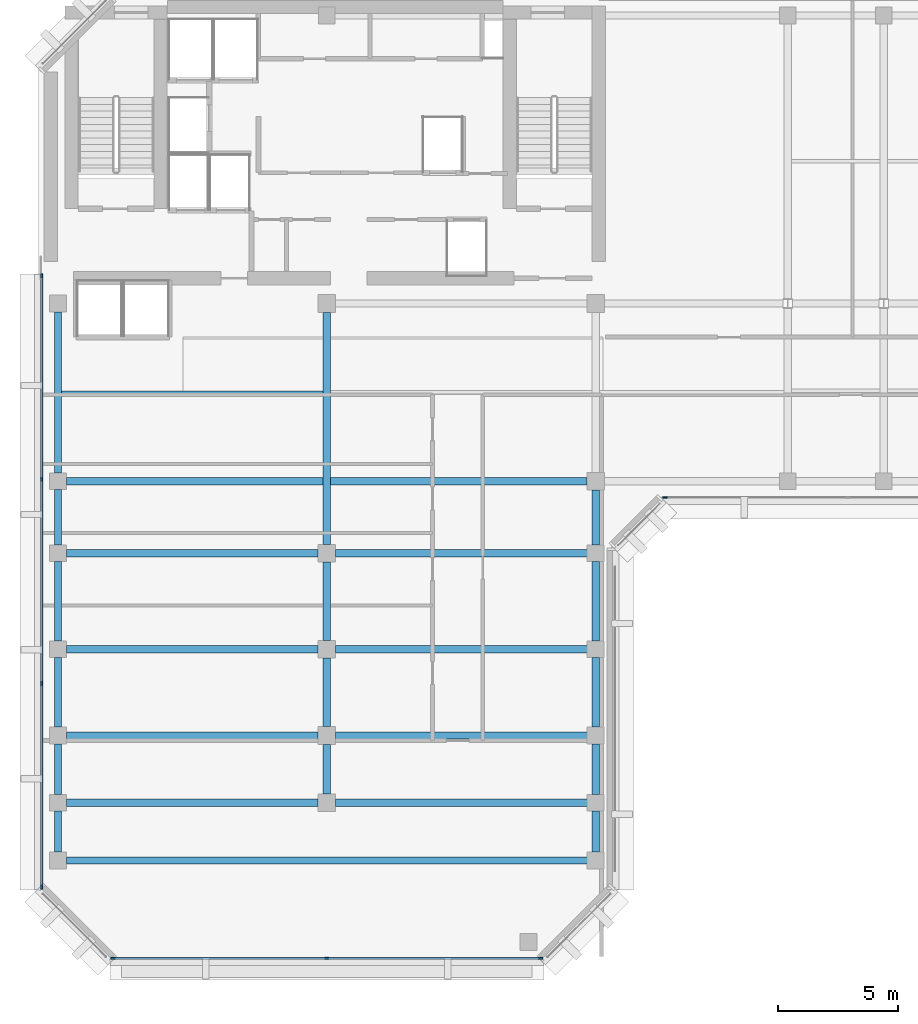
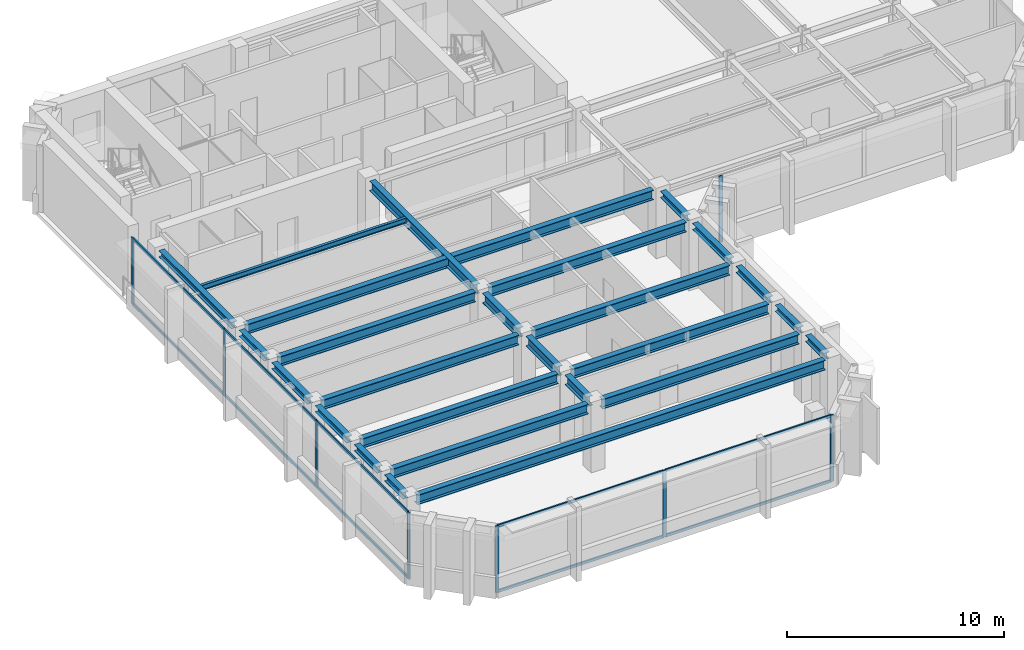
# One storey, part 2 of 11: 26 beams, 18 members, 3 elements without a shape of their own.
"""IFC4 building model written with IfcOpenShell, lengths in metres."""

from ifc_helpers import new_model, si_unit, direction, frame, origin, origin_2d, place, context, subcontext, project, spatial, rectangle, i_section, extrude, material, layer, layer_set, material_profile, profile_set, type_object, element, aggregate, save


model = new_model("IFC4")

# Units and contexts
model_context = context("Model", 3, precision=1e-05, world=origin(), true_north=direction((0.0, 1.0)))
body_context = subcontext(model_context, "Body", "Model", "MODEL_VIEW")
ifc_project = project(units=[si_unit("LENGTHUNIT", "METRE"), si_unit("AREAUNIT", "SQUARE_METRE"), si_unit("VOLUMEUNIT", "CUBIC_METRE"), si_unit("PLANEANGLEUNIT", "RADIAN"), si_unit("MASSUNIT", "GRAM", prefix="KILO")], contexts=[model_context])

# Site, building, storey
site_placement = place(None, origin())
site = spatial("IfcSite", under=ifc_project, at=site_placement, CompositionType="ELEMENT")
building_placement = place(site_placement, origin())
building = spatial("IfcBuilding", under=site, at=building_placement, Name="Kefirva Bronze Tower", CompositionType="ELEMENT")
storey_placement = place(building_placement, frame((0.0, 0.0, 276.2099609375)))
storey = spatial("IfcBuildingStorey", under=building, at=storey_placement, Name="L67", CompositionType="ELEMENT", Elevation=276.2099609375)

# Curtain wall, members
ifc_material_1 = material(Name="Bronze anodised aluminium", Category="aluminium")
ifc_layer = layer(ifc_material_1, 0.179931640625, Name="Bronze anodised aluminium")
ifc_layer_set = layer_set([ifc_layer], Name="Bronze anodised aluminium")
curtain_wall_type = type_object("IfcCurtainWallType", Name="Unitised Bronze Ribbon Curtain Wall Zone 4", PredefinedType="USERDEFINED", material=ifc_layer_set)
curtain_wall_1_placement = place(storey_placement, origin())
curtain_wall_1 = element("IfcCurtainWall", 1, at=curtain_wall_1_placement, inside=storey, type_object=curtain_wall_type, Name="L67 Curtain Wall 1", ObjectType="UNITISED CURTAIN WALL", PredefinedType="USERDEFINED")
ifc_material_profile_1 = material_profile(ifc_material_1, rectangle(XDim=0.074951171875, YDim=0.179931640625, at=origin_2d()), Name="ALU 75x180")
ifc_profile_set_1 = profile_set([ifc_material_profile_1], Name="Bronze anodised aluminium")
member_type_1 = type_object("IfcMemberType", Name="Bronze Mullion 75x180", PredefinedType="MULLION", material=ifc_profile_set_1)
member_1_placement = place(storey_placement, frame((3.092529296875, 5.919921875, 0.0), z_axis=(0.0, 0.0, 1.0), x_axis=(0.0, 1.0, 0.0)))
member_1 = element("IfcMember", 2, at=member_1_placement, type_object=member_type_1, Name="CW-04 mullion 1", PredefinedType="MULLION", context=body_context, shape_type="SweptSolid", body=[
    extrude(rectangle(XDim=0.074951171875, YDim=0.179931640625, at=origin_2d()), origin(), (0.0, 0.0, 1.0), 3.739990234375),
])
member_2_placement = place(storey_placement, frame((12.0, 5.919921875, 0.0), z_axis=(0.0, 0.0, 1.0), x_axis=(0.0, 1.0, 0.0)))
member_2 = element("IfcMember", 3, at=member_2_placement, type_object=member_type_1, Name="CW-04 mullion 2", PredefinedType="MULLION", context=body_context, shape_type="SweptSolid", body=[
    extrude(rectangle(XDim=0.074951171875, YDim=0.179931640625, at=origin_2d()), origin(), (0.0, 0.0, 1.0), 3.739990234375),
])
member_3_placement = place(storey_placement, frame((20.907470703125, 5.919921875, 0.0), z_axis=(0.0, 0.0, 1.0), x_axis=(0.0, 1.0, 0.0)))
member_3 = element("IfcMember", 4, at=member_3_placement, type_object=member_type_1, Name="CW-04 mullion 3", PredefinedType="MULLION", context=body_context, shape_type="SweptSolid", body=[
    extrude(rectangle(XDim=0.074951171875, YDim=0.179931640625, at=origin_2d()), origin(), (0.0, 0.0, 1.0), 3.739990234375),
])

# Curtain wall, member
curtain_wall_2_placement = place(storey_placement, origin())
curtain_wall_2 = element("IfcCurtainWall", 5, at=curtain_wall_2_placement, inside=storey, type_object=curtain_wall_type, Name="L67 Curtain Wall 2", ObjectType="UNITISED CURTAIN WALL", PredefinedType="USERDEFINED")
member_4_placement = place(storey_placement, frame((26.092529296875, 25.1201171875, 0.0), z_axis=(0.0, 0.0, 1.0), x_axis=(0.0, 1.0, 0.0)))
member_4 = element("IfcMember", 6, at=member_4_placement, type_object=member_type_1, Name="CW-04 mullion 1", PredefinedType="MULLION", context=body_context, shape_type="SweptSolid", body=[
    extrude(rectangle(XDim=0.074951171875, YDim=0.179931640625, at=origin_2d()), origin(), (0.0, 0.0, 1.0), 3.739990234375),
])
aggregate(curtain_wall_2, [member_4])

# Curtain wall, members
curtain_wall_3_placement = place(storey_placement, origin())
curtain_wall_3 = element("IfcCurtainWall", 7, at=curtain_wall_3_placement, inside=storey, type_object=curtain_wall_type, Name="L67 Curtain Wall 5", ObjectType="UNITISED CURTAIN WALL", PredefinedType="USERDEFINED")
member_5_placement = place(storey_placement, frame((0.1201171875, 34.357421875, 0.0), z_axis=(0.0, 0.0, 1.0), x_axis=(1.0, 0.0, 0.0)))
member_5 = element("IfcMember", 8, at=member_5_placement, type_object=member_type_1, Name="CW-04 mullion 1", PredefinedType="MULLION", context=body_context, shape_type="SweptSolid", body=[
    extrude(rectangle(XDim=0.074951171875, YDim=0.179931640625, at=origin_2d()), origin(), (0.0, 0.0, 1.0), 3.739990234375),
])
member_6_placement = place(storey_placement, frame((0.1201171875, 25.881591796875, 0.0), z_axis=(0.0, 0.0, 1.0), x_axis=(1.0, 0.0, 0.0)))
member_6 = element("IfcMember", 9, at=member_6_placement, type_object=member_type_1, Name="CW-04 mullion 2", PredefinedType="MULLION", context=body_context, shape_type="SweptSolid", body=[
    extrude(rectangle(XDim=0.074951171875, YDim=0.179931640625, at=origin_2d()), origin(), (0.0, 0.0, 1.0), 3.739990234375),
])
member_7_placement = place(storey_placement, frame((0.1201171875, 17.368408203125, 0.0), z_axis=(0.0, 0.0, 1.0), x_axis=(1.0, 0.0, 0.0)))
member_7 = element("IfcMember", 10, at=member_7_placement, type_object=member_type_1, Name="CW-04 mullion 3", PredefinedType="MULLION", context=body_context, shape_type="SweptSolid", body=[
    extrude(rectangle(XDim=0.074951171875, YDim=0.179931640625, at=origin_2d()), origin(), (0.0, 0.0, 1.0), 3.739990234375),
])
member_8_placement = place(storey_placement, frame((0.1201171875, 8.892578125, 0.0), z_axis=(0.0, 0.0, 1.0), x_axis=(1.0, 0.0, 0.0)))
member_8 = element("IfcMember", 11, at=member_8_placement, type_object=member_type_1, Name="CW-04 mullion 4", PredefinedType="MULLION", context=body_context, shape_type="SweptSolid", body=[
    extrude(rectangle(XDim=0.074951171875, YDim=0.179931640625, at=origin_2d()), origin(), (0.0, 0.0, 1.0), 3.739990234375),
])

# Member
ifc_material_profile_2 = material_profile(ifc_material_1, rectangle(XDim=0.074951171875, YDim=0.14990234375, at=origin_2d()), Name="ALU 75x150")
ifc_profile_set_2 = profile_set([ifc_material_profile_2], Name="Bronze anodised aluminium")
member_type_2 = type_object("IfcMemberType", Name="Bronze Transom 75x150", PredefinedType="USERDEFINED", material=ifc_profile_set_2)
member_9_placement = place(storey_placement, frame((3.1298828125, 5.919921875, 0.03759765625), z_axis=(1.0, 0.0, 0.0), x_axis=(0.0, 1.0, 0.0)))
member_9 = element("IfcMember", 12, at=member_9_placement, type_object=member_type_2, Name="CW-04 transom 1.1", ObjectType="TRANSOM", PredefinedType="USERDEFINED", context=body_context, shape_type="SweptSolid", body=[
    extrude(rectangle(XDim=0.074951171875, YDim=0.14990234375, at=origin_2d()), origin(), (0.0, 0.0, 1.0), 8.83251953125),
])

member_10_placement = place(storey_placement, frame((3.1298828125, 5.919921875, 3.70263671875), z_axis=(1.0, 0.0, 0.0), x_axis=(0.0, 1.0, 0.0)))
member_10 = element("IfcMember", 13, at=member_10_placement, type_object=member_type_2, Name="CW-04 transom 1.2", ObjectType="TRANSOM", PredefinedType="USERDEFINED", context=body_context, shape_type="SweptSolid", body=[
    extrude(rectangle(XDim=0.074951171875, YDim=0.14990234375, at=origin_2d()), origin(), (0.0, 0.0, 1.0), 8.83251953125),
])

member_11_placement = place(storey_placement, frame((12.03759765625, 5.919921875, 0.03759765625), z_axis=(1.0, 0.0, 0.0), x_axis=(0.0, 1.0, 0.0)))
member_11 = element("IfcMember", 14, at=member_11_placement, type_object=member_type_2, Name="CW-04 transom 2.1", ObjectType="TRANSOM", PredefinedType="USERDEFINED", context=body_context, shape_type="SweptSolid", body=[
    extrude(rectangle(XDim=0.074951171875, YDim=0.14990234375, at=origin_2d()), origin(), (0.0, 0.0, 1.0), 8.83251953125),
])

member_12_placement = place(storey_placement, frame((12.03759765625, 5.919921875, 3.70263671875), z_axis=(1.0, 0.0, 0.0), x_axis=(0.0, 1.0, 0.0)))
member_12 = element("IfcMember", 15, at=member_12_placement, type_object=member_type_2, Name="CW-04 transom 2.2", ObjectType="TRANSOM", PredefinedType="USERDEFINED", context=body_context, shape_type="SweptSolid", body=[
    extrude(rectangle(XDim=0.074951171875, YDim=0.14990234375, at=origin_2d()), origin(), (0.0, 0.0, 1.0), 8.83251953125),
])

aggregate(curtain_wall_1, [member_1, member_2, member_3, member_9, member_10, member_11, member_12])

member_13_placement = place(storey_placement, frame((0.1201171875, 34.320068359375, 0.03759765625), z_axis=(0.0, -1.0, 0.0), x_axis=(1.0, 0.0, 0.0)))
member_13 = element("IfcMember", 16, at=member_13_placement, type_object=member_type_2, Name="CW-04 transom 1.1", ObjectType="TRANSOM", PredefinedType="USERDEFINED", context=body_context, shape_type="SweptSolid", body=[
    extrude(rectangle(XDim=0.074951171875, YDim=0.14990234375, at=origin_2d()), origin(), (0.0, 0.0, 1.0), 8.40087890625),
])

member_14_placement = place(storey_placement, frame((0.1201171875, 34.320068359375, 3.70263671875), z_axis=(0.0, -1.0, 0.0), x_axis=(1.0, 0.0, 0.0)))
member_14 = element("IfcMember", 17, at=member_14_placement, type_object=member_type_2, Name="CW-04 transom 1.2", ObjectType="TRANSOM", PredefinedType="USERDEFINED", context=body_context, shape_type="SweptSolid", body=[
    extrude(rectangle(XDim=0.074951171875, YDim=0.14990234375, at=origin_2d()), origin(), (0.0, 0.0, 1.0), 8.40087890625),
])

member_15_placement = place(storey_placement, frame((0.1201171875, 25.84423828125, 0.03759765625), z_axis=(0.0, -1.0, 0.0), x_axis=(1.0, 0.0, 0.0)))
member_15 = element("IfcMember", 18, at=member_15_placement, type_object=member_type_2, Name="CW-04 transom 2.1", ObjectType="TRANSOM", PredefinedType="USERDEFINED", context=body_context, shape_type="SweptSolid", body=[
    extrude(rectangle(XDim=0.074951171875, YDim=0.14990234375, at=origin_2d()), origin(), (0.0, 0.0, 1.0), 8.4384765625),
])

member_16_placement = place(storey_placement, frame((0.1201171875, 25.84423828125, 3.70263671875), z_axis=(0.0, -1.0, 0.0), x_axis=(1.0, 0.0, 0.0)))
member_16 = element("IfcMember", 19, at=member_16_placement, type_object=member_type_2, Name="CW-04 transom 2.2", ObjectType="TRANSOM", PredefinedType="USERDEFINED", context=body_context, shape_type="SweptSolid", body=[
    extrude(rectangle(XDim=0.074951171875, YDim=0.14990234375, at=origin_2d()), origin(), (0.0, 0.0, 1.0), 8.4384765625),
])

member_17_placement = place(storey_placement, frame((0.1201171875, 17.330810546875, 0.03759765625), z_axis=(0.0, -1.0, 0.0), x_axis=(1.0, 0.0, 0.0)))
member_17 = element("IfcMember", 20, at=member_17_placement, type_object=member_type_2, Name="CW-04 transom 3.1", ObjectType="TRANSOM", PredefinedType="USERDEFINED", context=body_context, shape_type="SweptSolid", body=[
    extrude(rectangle(XDim=0.074951171875, YDim=0.14990234375, at=origin_2d()), origin(), (0.0, 0.0, 1.0), 8.40087890625),
])

member_18_placement = place(storey_placement, frame((0.1201171875, 17.330810546875, 3.70263671875), z_axis=(0.0, -1.0, 0.0), x_axis=(1.0, 0.0, 0.0)))
member_18 = element("IfcMember", 21, at=member_18_placement, type_object=member_type_2, Name="CW-04 transom 3.2", ObjectType="TRANSOM", PredefinedType="USERDEFINED", context=body_context, shape_type="SweptSolid", body=[
    extrude(rectangle(XDim=0.074951171875, YDim=0.14990234375, at=origin_2d()), origin(), (0.0, 0.0, 1.0), 8.40087890625),
])

aggregate(curtain_wall_3, [member_5, member_6, member_7, member_8, member_13, member_14, member_15, member_16, member_17, member_18])

# Beams
ifc_material_2 = material(Name="Steel S355", Category="steel")
ifc_material_profile_3 = material_profile(ifc_material_2, i_section(OverallWidth=0.14990234375, OverallDepth=0.300048828125, WebThickness=0.007080078125, FlangeThickness=0.0107421875, at=origin_2d()), Name="IPE 300")
ifc_profile_set_3 = profile_set([ifc_material_profile_3], Name="Steel S355")
beam_type_1 = type_object("IfcBeamType", Name="Steel Floor Joist IPE 300", PredefinedType="JOIST", material=ifc_profile_set_3)
beam_1_placement = place(storey_placement, frame((0.949951171875, 29.489990234375, 3.590087890625), z_axis=(1.0, 0.0, 0.0), x_axis=(0.0, 1.0, 0.0)))
element("IfcBeam", 22, at=beam_1_placement, inside=storey, type_object=beam_type_1, Name="L67 JST-L67-0-294", PredefinedType="JOIST", context=body_context, shape_type="SweptSolid", body=[
    extrude(i_section(OverallWidth=0.14990234375, OverallDepth=0.300048828125, WebThickness=0.007080078125, FlangeThickness=0.0107421875, at=origin_2d()), origin(), (0.0, 0.0, 1.0), 10.900146484375),
])
ifc_material_profile_4 = material_profile(ifc_material_2, i_section(OverallWidth=0.300048828125, OverallDepth=0.550048828125, WebThickness=0.014892578125, FlangeThickness=0.029052734375, at=origin_2d()), Name="HEB 550")
ifc_profile_set_4 = profile_set([ifc_material_profile_4], Name="Steel S355")
beam_type_2 = type_object("IfcBeamType", Name="Steel Girder HEB 550", PredefinedType="USERDEFINED", material=ifc_profile_set_4)
beam_2_placement = place(storey_placement, frame((1.14990234375, 10.0, 3.465087890625), z_axis=(1.0, 0.0, 0.0), x_axis=(0.0, 1.0, 0.0)))
element("IfcBeam", 23, at=beam_2_placement, inside=storey, type_object=beam_type_2, Name="L67 BM-L67-EW-0-100", ObjectType="GIRDER", PredefinedType="USERDEFINED", context=body_context, shape_type="SweptSolid", body=[
    extrude(i_section(OverallWidth=0.300048828125, OverallDepth=0.550048828125, WebThickness=0.014892578125, FlangeThickness=0.029052734375, at=origin_2d()), origin(), (0.0, 0.0, 1.0), 21.7001953125),
])
for number, where, z_axis, x_axis, name in (
    (24, (1.14990234375, 12.39990234375, 3.465087890625), (1.0, 0.0, 0.0), (0.0, 1.0, 0.0), "L67 BM-L67-EW-0-124"),
    (25, (12.3701171875, 12.39990234375, 3.465087890625), (1.0, 0.0, 0.0), (0.0, 1.0, 0.0), "L67 BM-L67-EW-12-124"),
    (26, (1.14990234375, 15.199951171875, 3.465087890625), (1.0, 0.0, 0.0), (0.0, 1.0, 0.0), "L67 BM-L67-EW-0-152"),
    (27, (12.3701171875, 15.199951171875, 3.465087890625), (1.0, 0.0, 0.0), (0.0, 1.0, 0.0), "L67 BM-L67-EW-12-152"),
    (28, (1.14990234375, 18.800048828125, 3.465087890625), (1.0, 0.0, 0.0), (0.0, 1.0, 0.0), "L67 BM-L67-EW-0-188"),
    (29, (12.3701171875, 18.800048828125, 3.465087890625), (1.0, 0.0, 0.0), (0.0, 1.0, 0.0), "L67 BM-L67-EW-12-188"),
    (30, (1.14990234375, 22.800048828125, 3.465087890625), (1.0, 0.0, 0.0), (0.0, 1.0, 0.0), "L67 BM-L67-EW-0-228"),
    (31, (12.3701171875, 22.800048828125, 3.465087890625), (1.0, 0.0, 0.0), (0.0, 1.0, 0.0), "L67 BM-L67-EW-12-228"),
):
    element("IfcBeam", number, at=place(storey_placement, frame(where, z_axis=z_axis, x_axis=x_axis)), inside=storey, type_object=beam_type_2, Name=name, ObjectType="GIRDER", PredefinedType="USERDEFINED", context=body_context, shape_type="SweptSolid", body=[
        extrude(i_section(OverallWidth=0.300048828125, OverallDepth=0.550048828125, WebThickness=0.014892578125, FlangeThickness=0.029052734375, at=origin_2d()), origin(), (0.0, 0.0, 1.0), 10.47998046875),
    ])
beam_3_placement = place(storey_placement, frame((1.14990234375, 25.800048828125, 3.465087890625), z_axis=(1.0, 0.0, 0.0), x_axis=(0.0, 1.0, 0.0)))
element("IfcBeam", 32, at=beam_3_placement, inside=storey, type_object=beam_type_2, Name="L67 BM-L67-EW-0-258", ObjectType="GIRDER", PredefinedType="USERDEFINED", context=body_context, shape_type="SweptSolid", body=[
    extrude(i_section(OverallWidth=0.300048828125, OverallDepth=0.550048828125, WebThickness=0.014892578125, FlangeThickness=0.029052734375, at=origin_2d()), origin(), (0.0, 0.0, 1.0), 21.68017578125),
])
beam_4_placement = place(storey_placement, frame((12.0, 12.77001953125, 3.465087890625), z_axis=(0.0, 1.0, 0.0), x_axis=(-1.0, 0.0, 0.0)))
element("IfcBeam", 33, at=beam_4_placement, inside=storey, type_object=beam_type_2, Name="L67 BM-L67-NS-120-12", ObjectType="GIRDER", PredefinedType="USERDEFINED", context=body_context, shape_type="SweptSolid", body=[
    extrude(i_section(OverallWidth=0.300048828125, OverallDepth=0.550048828125, WebThickness=0.014892578125, FlangeThickness=0.029052734375, at=origin_2d()), origin(), (0.0, 0.0, 1.0), 2.06005859375),
])
beam_5_placement = place(storey_placement, frame((12.0, 15.570068359375, 3.465087890625), z_axis=(0.0, 1.0, 0.0), x_axis=(-1.0, 0.0, 0.0)))
element("IfcBeam", 34, at=beam_5_placement, inside=storey, type_object=beam_type_2, Name="L67 BM-L67-NS-120-15", ObjectType="GIRDER", PredefinedType="USERDEFINED", context=body_context, shape_type="SweptSolid", body=[
    extrude(i_section(OverallWidth=0.300048828125, OverallDepth=0.550048828125, WebThickness=0.014892578125, FlangeThickness=0.029052734375, at=origin_2d()), origin(), (0.0, 0.0, 1.0), 2.85986328125),
])
beam_6_placement = place(storey_placement, frame((12.0, 19.169921875, 3.465087890625), z_axis=(0.0, 1.0, 0.0), x_axis=(-1.0, 0.0, 0.0)))
element("IfcBeam", 35, at=beam_6_placement, inside=storey, type_object=beam_type_2, Name="L67 BM-L67-NS-120-18", ObjectType="GIRDER", PredefinedType="USERDEFINED", context=body_context, shape_type="SweptSolid", body=[
    extrude(i_section(OverallWidth=0.300048828125, OverallDepth=0.550048828125, WebThickness=0.014892578125, FlangeThickness=0.029052734375, at=origin_2d()), origin(), (0.0, 0.0, 1.0), 3.260009765625),
])
beam_7_placement = place(storey_placement, frame((12.0, 23.169921875, 3.465087890625), z_axis=(0.0, 1.0, 0.0), x_axis=(-1.0, 0.0, 0.0)))
element("IfcBeam", 36, at=beam_7_placement, inside=storey, type_object=beam_type_2, Name="L67 BM-L67-NS-120-22", ObjectType="GIRDER", PredefinedType="USERDEFINED", context=body_context, shape_type="SweptSolid", body=[
    extrude(i_section(OverallWidth=0.300048828125, OverallDepth=0.550048828125, WebThickness=0.014892578125, FlangeThickness=0.029052734375, at=origin_2d()), origin(), (0.0, 0.0, 1.0), 9.66015625),
])
ifc_material_profile_5 = material_profile(ifc_material_2, i_section(OverallWidth=0.300048828125, OverallDepth=0.360107421875, WebThickness=0.012451171875, FlangeThickness=0.0224609375, at=origin_2d()), Name="HEB 360")
ifc_profile_set_5 = profile_set([ifc_material_profile_5], Name="Steel S355")
beam_type_3 = type_object("IfcBeamType", Name="Steel Spandrel HEB 360 Ext", PredefinedType="SPANDREL", material=ifc_profile_set_5)
beam_8_placement = place(storey_placement, frame((0.800048828125, 10.35009765625, 3.56005859375), z_axis=(0.0, 1.0, 0.0), x_axis=(-1.0, 0.0, 0.0)))
element("IfcBeam", 37, at=beam_8_placement, inside=storey, type_object=beam_type_3, Name="L67 BM-L67-NS-8-10", PredefinedType="SPANDREL", context=body_context, shape_type="SweptSolid", body=[
    extrude(i_section(OverallWidth=0.300048828125, OverallDepth=0.360107421875, WebThickness=0.012451171875, FlangeThickness=0.0224609375, at=origin_2d()), origin(), (0.0, 0.0, 1.0), 1.699951171875),
])
beam_9_placement = place(storey_placement, frame((0.800048828125, 12.75, 3.56005859375), z_axis=(0.0, 1.0, 0.0), x_axis=(-1.0, 0.0, 0.0)))
element("IfcBeam", 38, at=beam_9_placement, inside=storey, type_object=beam_type_3, Name="L67 BM-L67-NS-8-12", PredefinedType="SPANDREL", context=body_context, shape_type="SweptSolid", body=[
    extrude(i_section(OverallWidth=0.300048828125, OverallDepth=0.360107421875, WebThickness=0.012451171875, FlangeThickness=0.0224609375, at=origin_2d()), origin(), (0.0, 0.0, 1.0), 2.10009765625),
])
beam_10_placement = place(storey_placement, frame((0.800048828125, 15.550048828125, 3.56005859375), z_axis=(0.0, 1.0, 0.0), x_axis=(-1.0, 0.0, 0.0)))
element("IfcBeam", 39, at=beam_10_placement, inside=storey, type_object=beam_type_3, Name="L67 BM-L67-NS-8-15", PredefinedType="SPANDREL", context=body_context, shape_type="SweptSolid", body=[
    extrude(i_section(OverallWidth=0.300048828125, OverallDepth=0.360107421875, WebThickness=0.012451171875, FlangeThickness=0.0224609375, at=origin_2d()), origin(), (0.0, 0.0, 1.0), 2.89990234375),
])
beam_11_placement = place(storey_placement, frame((0.800048828125, 19.14990234375, 3.56005859375), z_axis=(0.0, 1.0, 0.0), x_axis=(-1.0, 0.0, 0.0)))
element("IfcBeam", 40, at=beam_11_placement, inside=storey, type_object=beam_type_3, Name="L67 BM-L67-NS-8-18", PredefinedType="SPANDREL", context=body_context, shape_type="SweptSolid", body=[
    extrude(i_section(OverallWidth=0.300048828125, OverallDepth=0.360107421875, WebThickness=0.012451171875, FlangeThickness=0.0224609375, at=origin_2d()), origin(), (0.0, 0.0, 1.0), 3.300048828125),
])
beam_12_placement = place(storey_placement, frame((0.800048828125, 23.14990234375, 3.56005859375), z_axis=(0.0, 1.0, 0.0), x_axis=(-1.0, 0.0, 0.0)))
element("IfcBeam", 41, at=beam_12_placement, inside=storey, type_object=beam_type_3, Name="L67 BM-L67-NS-8-22", PredefinedType="SPANDREL", context=body_context, shape_type="SweptSolid", body=[
    extrude(i_section(OverallWidth=0.300048828125, OverallDepth=0.360107421875, WebThickness=0.012451171875, FlangeThickness=0.0224609375, at=origin_2d()), origin(), (0.0, 0.0, 1.0), 2.300048828125),
])
beam_13_placement = place(storey_placement, frame((0.800048828125, 26.14990234375, 3.56005859375), z_axis=(0.0, 1.0, 0.0), x_axis=(-1.0, 0.0, 0.0)))
element("IfcBeam", 42, at=beam_13_placement, inside=storey, type_object=beam_type_3, Name="L67 BM-L67-NS-8-25", PredefinedType="SPANDREL", context=body_context, shape_type="SweptSolid", body=[
    extrude(i_section(OverallWidth=0.300048828125, OverallDepth=0.360107421875, WebThickness=0.012451171875, FlangeThickness=0.0224609375, at=origin_2d()), origin(), (0.0, 0.0, 1.0), 6.7001953125),
])
beam_14_placement = place(storey_placement, frame((23.199951171875, 10.35009765625, 3.56005859375), z_axis=(0.0, 1.0, 0.0), x_axis=(-1.0, 0.0, 0.0)))
element("IfcBeam", 43, at=beam_14_placement, inside=storey, type_object=beam_type_3, Name="L67 BM-L67-NS-232-10", PredefinedType="SPANDREL", context=body_context, shape_type="SweptSolid", body=[
    extrude(i_section(OverallWidth=0.300048828125, OverallDepth=0.360107421875, WebThickness=0.012451171875, FlangeThickness=0.0224609375, at=origin_2d()), origin(), (0.0, 0.0, 1.0), 1.699951171875),
])
beam_15_placement = place(storey_placement, frame((23.199951171875, 12.75, 3.56005859375), z_axis=(0.0, 1.0, 0.0), x_axis=(-1.0, 0.0, 0.0)))
element("IfcBeam", 44, at=beam_15_placement, inside=storey, type_object=beam_type_3, Name="L67 BM-L67-NS-232-12", PredefinedType="SPANDREL", context=body_context, shape_type="SweptSolid", body=[
    extrude(i_section(OverallWidth=0.300048828125, OverallDepth=0.360107421875, WebThickness=0.012451171875, FlangeThickness=0.0224609375, at=origin_2d()), origin(), (0.0, 0.0, 1.0), 2.10009765625),
])
beam_16_placement = place(storey_placement, frame((23.199951171875, 15.550048828125, 3.56005859375), z_axis=(0.0, 1.0, 0.0), x_axis=(-1.0, 0.0, 0.0)))
element("IfcBeam", 45, at=beam_16_placement, inside=storey, type_object=beam_type_3, Name="L67 BM-L67-NS-232-15", PredefinedType="SPANDREL", context=body_context, shape_type="SweptSolid", body=[
    extrude(i_section(OverallWidth=0.300048828125, OverallDepth=0.360107421875, WebThickness=0.012451171875, FlangeThickness=0.0224609375, at=origin_2d()), origin(), (0.0, 0.0, 1.0), 2.89990234375),
])
beam_17_placement = place(storey_placement, frame((23.199951171875, 19.14990234375, 3.56005859375), z_axis=(0.0, 1.0, 0.0), x_axis=(-1.0, 0.0, 0.0)))
element("IfcBeam", 46, at=beam_17_placement, inside=storey, type_object=beam_type_3, Name="L67 BM-L67-NS-232-18", PredefinedType="SPANDREL", context=body_context, shape_type="SweptSolid", body=[
    extrude(i_section(OverallWidth=0.300048828125, OverallDepth=0.360107421875, WebThickness=0.012451171875, FlangeThickness=0.0224609375, at=origin_2d()), origin(), (0.0, 0.0, 1.0), 3.300048828125),
])
beam_18_placement = place(storey_placement, frame((23.199951171875, 23.14990234375, 3.56005859375), z_axis=(0.0, 1.0, 0.0), x_axis=(-1.0, 0.0, 0.0)))
element("IfcBeam", 47, at=beam_18_placement, inside=storey, type_object=beam_type_3, Name="L67 BM-L67-NS-232-22", PredefinedType="SPANDREL", context=body_context, shape_type="SweptSolid", body=[
    extrude(i_section(OverallWidth=0.300048828125, OverallDepth=0.360107421875, WebThickness=0.012451171875, FlangeThickness=0.0224609375, at=origin_2d()), origin(), (0.0, 0.0, 1.0), 2.280029296875),
])

save(model, "model.ifc")
